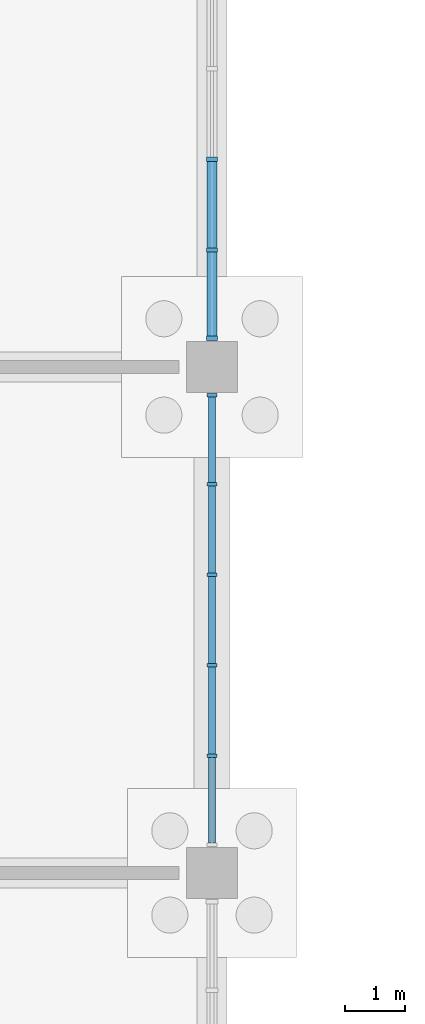
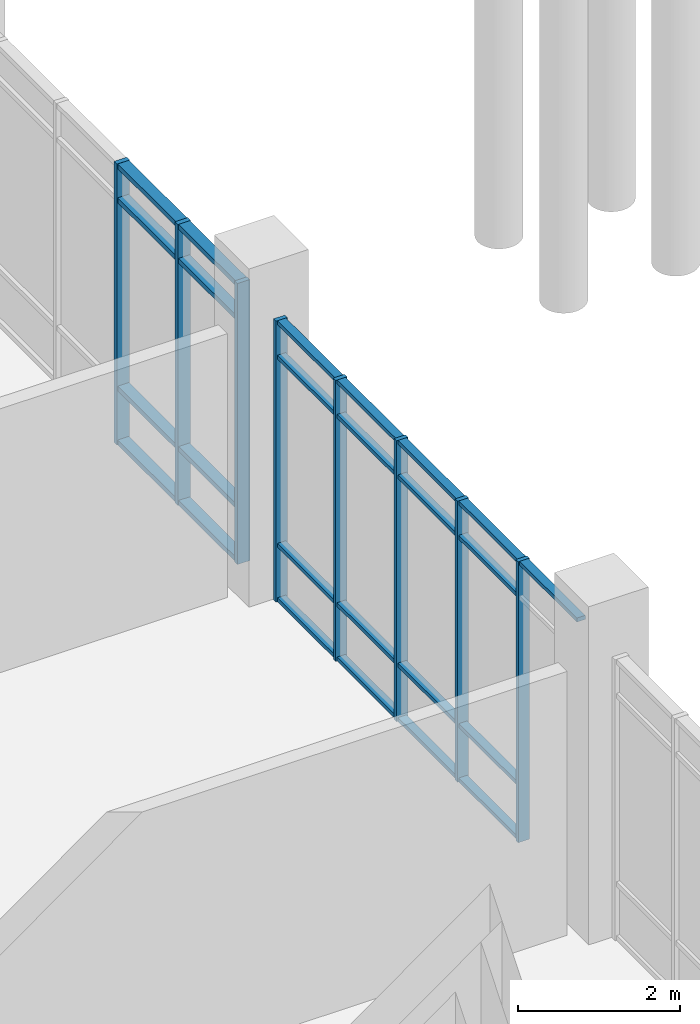
# One storey, part 32 of 136: 33 members, 2 elements without a shape of their own.
"""IFC4 building model written with IfcOpenShell, lengths in metres."""

from ifc_helpers import new_model, si_unit, direction, frame, origin, origin_2d, place, context, subcontext, project, spatial, rectangle, extrude, material, material_profile, profile_set, type_object, element, aggregate, save


model = new_model("IFC4")

# Units and contexts
model_context = context("Model", 3, precision=1e-05, world=origin(), true_north=direction((0.0, 1.0)))
body_context = subcontext(model_context, "Body", "Model", "MODEL_VIEW")
ifc_project = project(units=[si_unit("LENGTHUNIT", "METRE"), si_unit("AREAUNIT", "SQUARE_METRE"), si_unit("VOLUMEUNIT", "CUBIC_METRE"), si_unit("PLANEANGLEUNIT", "RADIAN"), si_unit("MASSUNIT", "GRAM", prefix="KILO")], contexts=[model_context])

# Site, building, storey
site_placement = place(None, origin())
site = spatial("IfcSite", under=ifc_project, at=site_placement, CompositionType="ELEMENT")
building_placement = place(site_placement, origin())
building = spatial("IfcBuilding", under=site, at=building_placement, Name="Oolite Switchyard Hospital", CompositionType="ELEMENT")
storey_placement = place(building_placement, origin())
storey = spatial("IfcBuildingStorey", under=building, at=storey_placement, Name="L00", CompositionType="ELEMENT", Elevation=0.0)

# Curtain wall, members
ifc_material_1 = material(Name="Thermally broken aluminum frame with laminated impact glazing", Category="aluminium")
curtain_wall_type = type_object("IfcCurtainWallType", Name="CW-UNIT-84X51", PredefinedType="USERDEFINED", material=ifc_material_1)
curtain_wall_1_placement = place(storey_placement, origin())
curtain_wall_1 = element("IfcCurtainWall", 1, at=curtain_wall_1_placement, inside=storey, type_object=curtain_wall_type, Name="L00 Unitised Curtain Wall 60", ObjectType="UNITISED", PredefinedType="USERDEFINED")
ifc_material_2 = material(Name="Aluminium 6063-T6", Category="aluminium")
ifc_material_profile_1 = material_profile(ifc_material_2, rectangle(XDim=0.159912109375, YDim=0.06005859375, at=origin_2d()), Name="CWM60X160")
ifc_profile_set_1 = profile_set([ifc_material_profile_1], Name="Aluminium 6063-T6")
member_type_1 = type_object("IfcMemberType", Name="CW-MUL-180", PredefinedType="MULLION", material=ifc_profile_set_1)
member_1_placement = place(storey_placement, frame((57.60009765625, 58.330078125, 0.0), z_axis=(0.0, 0.0, 1.0), x_axis=(1.0, 0.0, 0.0)))
member_1 = element("IfcMember", 2, at=member_1_placement, type_object=member_type_1, Name="CW-06 mullion 1", PredefinedType="MULLION", context=body_context, shape_type="SweptSolid", body=[
    extrude(rectangle(XDim=0.159912109375, YDim=0.06005859375, at=origin_2d()), origin(), (0.0, 0.0, 1.0), 4.239990234375),
])
member_2_placement = place(storey_placement, frame((57.60009765625, 56.85595703125, 0.0), z_axis=(0.0, 0.0, 1.0), x_axis=(1.0, 0.0, 0.0)))
member_2 = element("IfcMember", 3, at=member_2_placement, type_object=member_type_1, Name="CW-06 mullion 2", PredefinedType="MULLION", context=body_context, shape_type="SweptSolid", body=[
    extrude(rectangle(XDim=0.159912109375, YDim=0.06005859375, at=origin_2d()), origin(), (0.0, 0.0, 1.0), 4.239990234375),
])
member_3_placement = place(storey_placement, frame((57.60009765625, 55.35205078125, 0.0), z_axis=(0.0, 0.0, 1.0), x_axis=(1.0, 0.0, 0.0)))
member_3 = element("IfcMember", 4, at=member_3_placement, type_object=member_type_1, Name="CW-06 mullion 3", PredefinedType="MULLION", context=body_context, shape_type="SweptSolid", body=[
    extrude(rectangle(XDim=0.159912109375, YDim=0.06005859375, at=origin_2d()), origin(), (0.0, 0.0, 1.0), 4.239990234375),
])
member_4_placement = place(storey_placement, frame((57.60009765625, 53.847900390625, 0.0), z_axis=(0.0, 0.0, 1.0), x_axis=(1.0, 0.0, 0.0)))
member_4 = element("IfcMember", 5, at=member_4_placement, type_object=member_type_1, Name="CW-06 mullion 4", PredefinedType="MULLION", context=body_context, shape_type="SweptSolid", body=[
    extrude(rectangle(XDim=0.159912109375, YDim=0.06005859375, at=origin_2d()), origin(), (0.0, 0.0, 1.0), 4.239990234375),
])
member_5_placement = place(storey_placement, frame((57.60009765625, 52.343994140625, 0.0), z_axis=(0.0, 0.0, 1.0), x_axis=(1.0, 0.0, 0.0)))
member_5 = element("IfcMember", 6, at=member_5_placement, type_object=member_type_1, Name="CW-06 mullion 5", PredefinedType="MULLION", context=body_context, shape_type="SweptSolid", body=[
    extrude(rectangle(XDim=0.159912109375, YDim=0.06005859375, at=origin_2d()), origin(), (0.0, 0.0, 1.0), 4.239990234375),
])

curtain_wall_2_placement = place(storey_placement, origin())
curtain_wall_2 = element("IfcCurtainWall", 7, at=curtain_wall_2_placement, inside=storey, type_object=curtain_wall_type, Name="L00 Unitised Curtain Wall 61", ObjectType="UNITISED", PredefinedType="USERDEFINED")
ifc_material_profile_2 = material_profile(ifc_material_2, rectangle(XDim=0.179931640625, YDim=0.070068359375, at=origin_2d()), Name="CWM70X180")
ifc_profile_set_2 = profile_set([ifc_material_profile_2], Name="Aluminium 6063-T6")
member_type_2 = type_object("IfcMemberType", Name="CW-MUL-220", PredefinedType="MULLION", material=ifc_profile_set_2)
member_6_placement = place(storey_placement, frame((57.60009765625, 62.248046875, 0.0), z_axis=(0.0, 0.0, 1.0), x_axis=(1.0, 0.0, 0.0)))
member_6 = element("IfcMember", 8, at=member_6_placement, type_object=member_type_2, Name="CW-06 mullion 4", PredefinedType="MULLION", context=body_context, shape_type="SweptSolid", body=[
    extrude(rectangle(XDim=0.179931640625, YDim=0.070068359375, at=origin_2d()), origin(), (0.0, 0.0, 1.0), 4.239990234375),
])
member_7_placement = place(storey_placement, frame((57.60009765625, 60.743896484375, 0.0), z_axis=(0.0, 0.0, 1.0), x_axis=(1.0, 0.0, 0.0)))
member_7 = element("IfcMember", 9, at=member_7_placement, type_object=member_type_2, Name="CW-06 mullion 5", PredefinedType="MULLION", context=body_context, shape_type="SweptSolid", body=[
    extrude(rectangle(XDim=0.179931640625, YDim=0.070068359375, at=origin_2d()), origin(), (0.0, 0.0, 1.0), 4.239990234375),
])
member_8_placement = place(storey_placement, frame((57.60009765625, 59.27490234375, 0.0), z_axis=(0.0, 0.0, 1.0), x_axis=(1.0, 0.0, 0.0)))
member_8 = element("IfcMember", 10, at=member_8_placement, type_object=member_type_2, Name="CW-06 mullion 6", PredefinedType="MULLION", context=body_context, shape_type="SweptSolid", body=[
    extrude(rectangle(XDim=0.179931640625, YDim=0.070068359375, at=origin_2d()), origin(), (0.0, 0.0, 1.0), 4.239990234375),
])

# Member
ifc_material_profile_3 = material_profile(ifc_material_2, rectangle(XDim=0.1201171875, YDim=0.06005859375, at=origin_2d()), Name="CWT60X120")
ifc_profile_set_3 = profile_set([ifc_material_profile_3], Name="Aluminium 6063-T6")
member_type_3 = type_object("IfcMemberType", Name="CW-TRN-150", PredefinedType="USERDEFINED", material=ifc_profile_set_3)
member_9_placement = place(storey_placement, frame((57.60009765625, 58.300048828125, 0.030029296875), z_axis=(0.0, -1.0, 0.0), x_axis=(1.0, 0.0, 0.0)))
member_9 = element("IfcMember", 11, at=member_9_placement, type_object=member_type_3, Name="CW-06 transom 1.1", ObjectType="TRANSOM", PredefinedType="USERDEFINED", context=body_context, shape_type="SweptSolid", body=[
    extrude(rectangle(XDim=0.1201171875, YDim=0.06005859375, at=origin_2d()), origin(), (0.0, 0.0, 1.0), 1.4140625),
])

member_10_placement = place(storey_placement, frame((57.60009765625, 58.300048828125, 0.85009765625), z_axis=(0.0, -1.0, 0.0), x_axis=(1.0, 0.0, 0.0)))
member_10 = element("IfcMember", 12, at=member_10_placement, type_object=member_type_3, Name="CW-06 transom 1.2", ObjectType="TRANSOM", PredefinedType="USERDEFINED", context=body_context, shape_type="SweptSolid", body=[
    extrude(rectangle(XDim=0.1201171875, YDim=0.06005859375, at=origin_2d()), origin(), (0.0, 0.0, 1.0), 1.4140625),
])

member_11_placement = place(storey_placement, frame((57.60009765625, 58.300048828125, 3.68994140625), z_axis=(0.0, -1.0, 0.0), x_axis=(1.0, 0.0, 0.0)))
member_11 = element("IfcMember", 13, at=member_11_placement, type_object=member_type_3, Name="CW-06 transom 1.3", ObjectType="TRANSOM", PredefinedType="USERDEFINED", context=body_context, shape_type="SweptSolid", body=[
    extrude(rectangle(XDim=0.1201171875, YDim=0.06005859375, at=origin_2d()), origin(), (0.0, 0.0, 1.0), 1.4140625),
])

member_12_placement = place(storey_placement, frame((57.60009765625, 58.300048828125, 4.2099609375), z_axis=(0.0, -1.0, 0.0), x_axis=(1.0, 0.0, 0.0)))
member_12 = element("IfcMember", 14, at=member_12_placement, type_object=member_type_3, Name="CW-06 transom 1.4", ObjectType="TRANSOM", PredefinedType="USERDEFINED", context=body_context, shape_type="SweptSolid", body=[
    extrude(rectangle(XDim=0.1201171875, YDim=0.06005859375, at=origin_2d()), origin(), (0.0, 0.0, 1.0), 1.4140625),
])

member_13_placement = place(storey_placement, frame((57.60009765625, 56.825927734375, 0.030029296875), z_axis=(0.0, -1.0, 0.0), x_axis=(1.0, 0.0, 0.0)))
member_13 = element("IfcMember", 15, at=member_13_placement, type_object=member_type_3, Name="CW-06 transom 2.1", ObjectType="TRANSOM", PredefinedType="USERDEFINED", context=body_context, shape_type="SweptSolid", body=[
    extrude(rectangle(XDim=0.1201171875, YDim=0.06005859375, at=origin_2d()), origin(), (0.0, 0.0, 1.0), 1.44384765625),
])

member_14_placement = place(storey_placement, frame((57.60009765625, 56.825927734375, 0.85009765625), z_axis=(0.0, -1.0, 0.0), x_axis=(1.0, 0.0, 0.0)))
member_14 = element("IfcMember", 16, at=member_14_placement, type_object=member_type_3, Name="CW-06 transom 2.2", ObjectType="TRANSOM", PredefinedType="USERDEFINED", context=body_context, shape_type="SweptSolid", body=[
    extrude(rectangle(XDim=0.1201171875, YDim=0.06005859375, at=origin_2d()), origin(), (0.0, 0.0, 1.0), 1.44384765625),
])

member_15_placement = place(storey_placement, frame((57.60009765625, 56.825927734375, 3.68994140625), z_axis=(0.0, -1.0, 0.0), x_axis=(1.0, 0.0, 0.0)))
member_15 = element("IfcMember", 17, at=member_15_placement, type_object=member_type_3, Name="CW-06 transom 2.3", ObjectType="TRANSOM", PredefinedType="USERDEFINED", context=body_context, shape_type="SweptSolid", body=[
    extrude(rectangle(XDim=0.1201171875, YDim=0.06005859375, at=origin_2d()), origin(), (0.0, 0.0, 1.0), 1.44384765625),
])

member_16_placement = place(storey_placement, frame((57.60009765625, 56.825927734375, 4.2099609375), z_axis=(0.0, -1.0, 0.0), x_axis=(1.0, 0.0, 0.0)))
member_16 = element("IfcMember", 18, at=member_16_placement, type_object=member_type_3, Name="CW-06 transom 2.4", ObjectType="TRANSOM", PredefinedType="USERDEFINED", context=body_context, shape_type="SweptSolid", body=[
    extrude(rectangle(XDim=0.1201171875, YDim=0.06005859375, at=origin_2d()), origin(), (0.0, 0.0, 1.0), 1.44384765625),
])

member_17_placement = place(storey_placement, frame((57.60009765625, 55.322021484375, 0.030029296875), z_axis=(0.0, -1.0, 0.0), x_axis=(1.0, 0.0, 0.0)))
member_17 = element("IfcMember", 19, at=member_17_placement, type_object=member_type_3, Name="CW-06 transom 3.1", ObjectType="TRANSOM", PredefinedType="USERDEFINED", context=body_context, shape_type="SweptSolid", body=[
    extrude(rectangle(XDim=0.1201171875, YDim=0.06005859375, at=origin_2d()), origin(), (0.0, 0.0, 1.0), 1.444091796875),
])

member_18_placement = place(storey_placement, frame((57.60009765625, 55.322021484375, 0.85009765625), z_axis=(0.0, -1.0, 0.0), x_axis=(1.0, 0.0, 0.0)))
member_18 = element("IfcMember", 20, at=member_18_placement, type_object=member_type_3, Name="CW-06 transom 3.2", ObjectType="TRANSOM", PredefinedType="USERDEFINED", context=body_context, shape_type="SweptSolid", body=[
    extrude(rectangle(XDim=0.1201171875, YDim=0.06005859375, at=origin_2d()), origin(), (0.0, 0.0, 1.0), 1.444091796875),
])

member_19_placement = place(storey_placement, frame((57.60009765625, 55.322021484375, 3.68994140625), z_axis=(0.0, -1.0, 0.0), x_axis=(1.0, 0.0, 0.0)))
member_19 = element("IfcMember", 21, at=member_19_placement, type_object=member_type_3, Name="CW-06 transom 3.3", ObjectType="TRANSOM", PredefinedType="USERDEFINED", context=body_context, shape_type="SweptSolid", body=[
    extrude(rectangle(XDim=0.1201171875, YDim=0.06005859375, at=origin_2d()), origin(), (0.0, 0.0, 1.0), 1.444091796875),
])

member_20_placement = place(storey_placement, frame((57.60009765625, 55.322021484375, 4.2099609375), z_axis=(0.0, -1.0, 0.0), x_axis=(1.0, 0.0, 0.0)))
member_20 = element("IfcMember", 22, at=member_20_placement, type_object=member_type_3, Name="CW-06 transom 3.4", ObjectType="TRANSOM", PredefinedType="USERDEFINED", context=body_context, shape_type="SweptSolid", body=[
    extrude(rectangle(XDim=0.1201171875, YDim=0.06005859375, at=origin_2d()), origin(), (0.0, 0.0, 1.0), 1.444091796875),
])

member_21_placement = place(storey_placement, frame((57.60009765625, 53.818115234375, 0.030029296875), z_axis=(0.0, -1.0, 0.0), x_axis=(1.0, 0.0, 0.0)))
member_21 = element("IfcMember", 23, at=member_21_placement, type_object=member_type_3, Name="CW-06 transom 4.1", ObjectType="TRANSOM", PredefinedType="USERDEFINED", context=body_context, shape_type="SweptSolid", body=[
    extrude(rectangle(XDim=0.1201171875, YDim=0.06005859375, at=origin_2d()), origin(), (0.0, 0.0, 1.0), 1.444091796875),
])

member_22_placement = place(storey_placement, frame((57.60009765625, 53.818115234375, 0.85009765625), z_axis=(0.0, -1.0, 0.0), x_axis=(1.0, 0.0, 0.0)))
member_22 = element("IfcMember", 24, at=member_22_placement, type_object=member_type_3, Name="CW-06 transom 4.2", ObjectType="TRANSOM", PredefinedType="USERDEFINED", context=body_context, shape_type="SweptSolid", body=[
    extrude(rectangle(XDim=0.1201171875, YDim=0.06005859375, at=origin_2d()), origin(), (0.0, 0.0, 1.0), 1.444091796875),
])

member_23_placement = place(storey_placement, frame((57.60009765625, 53.818115234375, 3.68994140625), z_axis=(0.0, -1.0, 0.0), x_axis=(1.0, 0.0, 0.0)))
member_23 = element("IfcMember", 25, at=member_23_placement, type_object=member_type_3, Name="CW-06 transom 4.3", ObjectType="TRANSOM", PredefinedType="USERDEFINED", context=body_context, shape_type="SweptSolid", body=[
    extrude(rectangle(XDim=0.1201171875, YDim=0.06005859375, at=origin_2d()), origin(), (0.0, 0.0, 1.0), 1.444091796875),
])

member_24_placement = place(storey_placement, frame((57.60009765625, 53.818115234375, 4.2099609375), z_axis=(0.0, -1.0, 0.0), x_axis=(1.0, 0.0, 0.0)))
member_24 = element("IfcMember", 26, at=member_24_placement, type_object=member_type_3, Name="CW-06 transom 4.4", ObjectType="TRANSOM", PredefinedType="USERDEFINED", context=body_context, shape_type="SweptSolid", body=[
    extrude(rectangle(XDim=0.1201171875, YDim=0.06005859375, at=origin_2d()), origin(), (0.0, 0.0, 1.0), 1.444091796875),
])

member_25_placement = place(storey_placement, frame((57.60009765625, 52.31396484375, 4.2099609375), z_axis=(0.0, -1.0, 0.0), x_axis=(1.0, 0.0, 0.0)))
member_25 = element("IfcMember", 27, at=member_25_placement, type_object=member_type_3, Name="CW-06 transom 5.4", ObjectType="TRANSOM", PredefinedType="USERDEFINED", context=body_context, shape_type="SweptSolid", body=[
    extrude(rectangle(XDim=0.1201171875, YDim=0.06005859375, at=origin_2d()), origin(), (0.0, 0.0, 1.0), 1.4140625),
])

aggregate(curtain_wall_1, [member_1, member_2, member_3, member_4, member_5, member_9, member_10, member_11, member_12, member_13, member_14, member_15, member_16, member_17, member_18, member_19, member_20, member_21, member_22, member_23, member_24, member_25])

ifc_material_profile_4 = material_profile(ifc_material_2, rectangle(XDim=0.159912109375, YDim=0.074951171875, at=origin_2d()), Name="CWT75X160")
ifc_profile_set_4 = profile_set([ifc_material_profile_4], Name="Aluminium 6063-T6")
member_type_4 = type_object("IfcMemberType", Name="CW-TRN-180", PredefinedType="USERDEFINED", material=ifc_profile_set_4)
member_26_placement = place(storey_placement, frame((57.60009765625, 62.212890625, 0.03759765625), z_axis=(0.0, -1.0, 0.0), x_axis=(1.0, 0.0, 0.0)))
member_26 = element("IfcMember", 28, at=member_26_placement, type_object=member_type_4, Name="CW-06 transom 4.1", ObjectType="TRANSOM", PredefinedType="USERDEFINED", context=body_context, shape_type="SweptSolid", body=[
    extrude(rectangle(XDim=0.159912109375, YDim=0.074951171875, at=origin_2d()), origin(), (0.0, 0.0, 1.0), 1.433837890625),
])

member_27_placement = place(storey_placement, frame((57.60009765625, 62.212890625, 0.85009765625), z_axis=(0.0, -1.0, 0.0), x_axis=(1.0, 0.0, 0.0)))
member_27 = element("IfcMember", 29, at=member_27_placement, type_object=member_type_4, Name="CW-06 transom 4.2", ObjectType="TRANSOM", PredefinedType="USERDEFINED", context=body_context, shape_type="SweptSolid", body=[
    extrude(rectangle(XDim=0.159912109375, YDim=0.074951171875, at=origin_2d()), origin(), (0.0, 0.0, 1.0), 1.433837890625),
])

member_28_placement = place(storey_placement, frame((57.60009765625, 62.212890625, 3.68994140625), z_axis=(0.0, -1.0, 0.0), x_axis=(1.0, 0.0, 0.0)))
member_28 = element("IfcMember", 30, at=member_28_placement, type_object=member_type_4, Name="CW-06 transom 4.3", ObjectType="TRANSOM", PredefinedType="USERDEFINED", context=body_context, shape_type="SweptSolid", body=[
    extrude(rectangle(XDim=0.159912109375, YDim=0.074951171875, at=origin_2d()), origin(), (0.0, 0.0, 1.0), 1.433837890625),
])

member_29_placement = place(storey_placement, frame((57.60009765625, 62.212890625, 4.202392578125), z_axis=(0.0, -1.0, 0.0), x_axis=(1.0, 0.0, 0.0)))
member_29 = element("IfcMember", 31, at=member_29_placement, type_object=member_type_4, Name="CW-06 transom 4.4", ObjectType="TRANSOM", PredefinedType="USERDEFINED", context=body_context, shape_type="SweptSolid", body=[
    extrude(rectangle(XDim=0.159912109375, YDim=0.074951171875, at=origin_2d()), origin(), (0.0, 0.0, 1.0), 1.433837890625),
])

member_30_placement = place(storey_placement, frame((57.60009765625, 60.708984375, 0.03759765625), z_axis=(0.0, -1.0, 0.0), x_axis=(1.0, 0.0, 0.0)))
member_30 = element("IfcMember", 32, at=member_30_placement, type_object=member_type_4, Name="CW-06 transom 5.1", ObjectType="TRANSOM", PredefinedType="USERDEFINED", context=body_context, shape_type="SweptSolid", body=[
    extrude(rectangle(XDim=0.159912109375, YDim=0.074951171875, at=origin_2d()), origin(), (0.0, 0.0, 1.0), 1.39892578125),
])

member_31_placement = place(storey_placement, frame((57.60009765625, 60.708984375, 0.85009765625), z_axis=(0.0, -1.0, 0.0), x_axis=(1.0, 0.0, 0.0)))
member_31 = element("IfcMember", 33, at=member_31_placement, type_object=member_type_4, Name="CW-06 transom 5.2", ObjectType="TRANSOM", PredefinedType="USERDEFINED", context=body_context, shape_type="SweptSolid", body=[
    extrude(rectangle(XDim=0.159912109375, YDim=0.074951171875, at=origin_2d()), origin(), (0.0, 0.0, 1.0), 1.39892578125),
])

member_32_placement = place(storey_placement, frame((57.60009765625, 60.708984375, 3.68994140625), z_axis=(0.0, -1.0, 0.0), x_axis=(1.0, 0.0, 0.0)))
member_32 = element("IfcMember", 34, at=member_32_placement, type_object=member_type_4, Name="CW-06 transom 5.3", ObjectType="TRANSOM", PredefinedType="USERDEFINED", context=body_context, shape_type="SweptSolid", body=[
    extrude(rectangle(XDim=0.159912109375, YDim=0.074951171875, at=origin_2d()), origin(), (0.0, 0.0, 1.0), 1.39892578125),
])

member_33_placement = place(storey_placement, frame((57.60009765625, 60.708984375, 4.202392578125), z_axis=(0.0, -1.0, 0.0), x_axis=(1.0, 0.0, 0.0)))
member_33 = element("IfcMember", 35, at=member_33_placement, type_object=member_type_4, Name="CW-06 transom 5.4", ObjectType="TRANSOM", PredefinedType="USERDEFINED", context=body_context, shape_type="SweptSolid", body=[
    extrude(rectangle(XDim=0.159912109375, YDim=0.074951171875, at=origin_2d()), origin(), (0.0, 0.0, 1.0), 1.39892578125),
])

aggregate(curtain_wall_2, [member_6, member_7, member_8, member_26, member_27, member_28, member_29, member_30, member_31, member_32, member_33])

save(model, "model.ifc")
